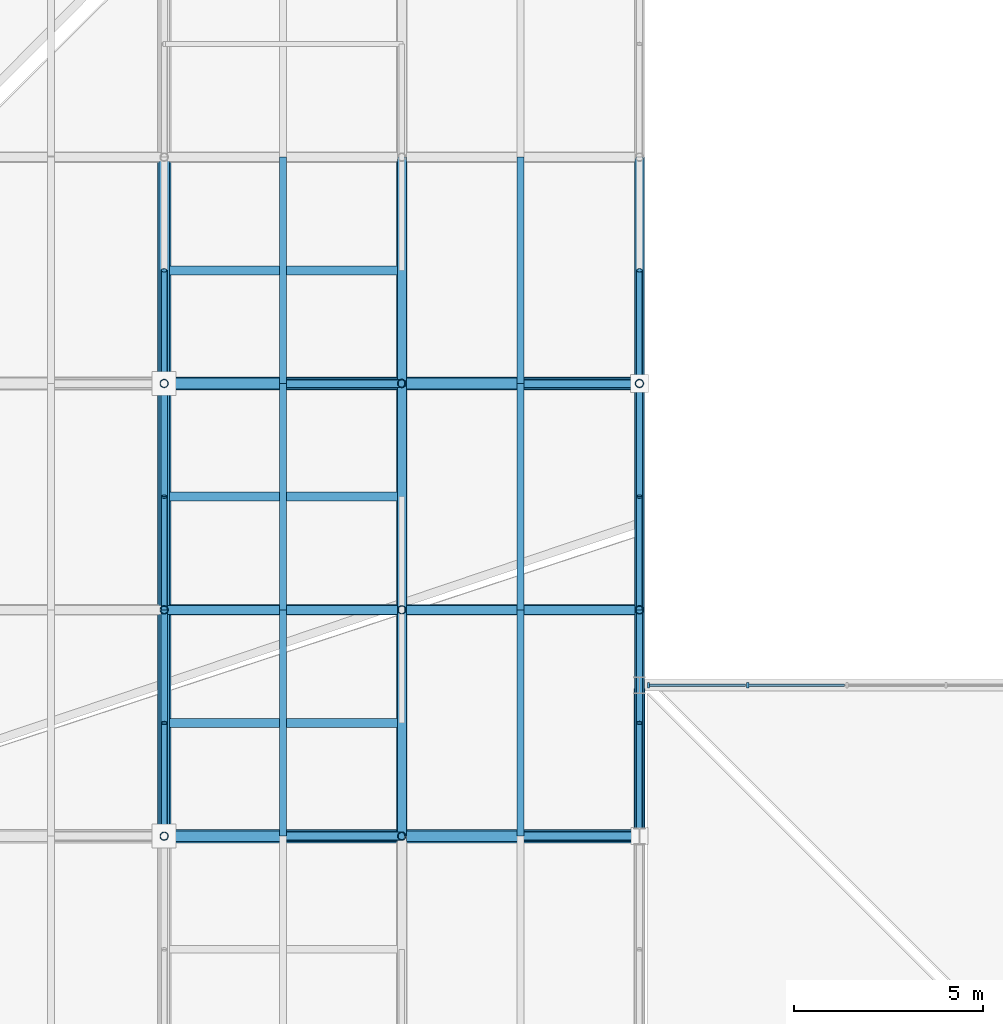
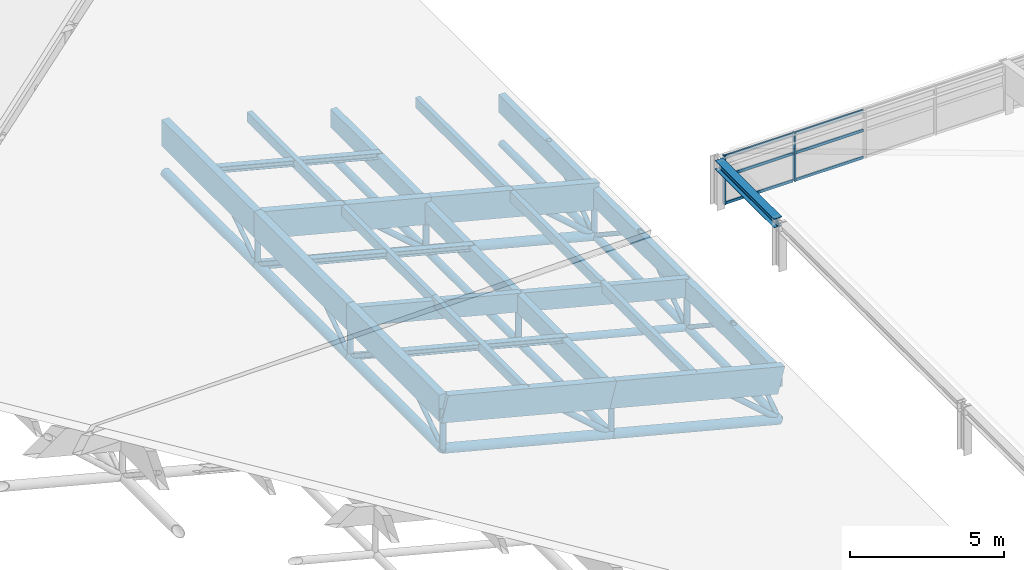
# One storey, part 46 of 80: 69 members, 1 beam, 1 element without a shape of its own.
"""IFC4 building model written with IfcOpenShell, lengths in metres."""

from ifc_helpers import new_model, si_unit, direction, frame, origin, origin_2d, place, context, subcontext, project, spatial, rectangle, hollow_circle, i_section, extrude, material, material_profile, profile_set, type_object, element, aggregate, save


model = new_model("IFC4")

# Units and contexts
model_context = context("Model", 3, precision=1e-05, world=origin(), true_north=direction((0.0, 1.0)))
body_context = subcontext(model_context, "Body", "Model", "MODEL_VIEW")
ifc_project = project(units=[si_unit("LENGTHUNIT", "METRE"), si_unit("AREAUNIT", "SQUARE_METRE"), si_unit("VOLUMEUNIT", "CUBIC_METRE"), si_unit("PLANEANGLEUNIT", "RADIAN"), si_unit("MASSUNIT", "GRAM", prefix="KILO"), si_unit("THERMODYNAMICTEMPERATUREUNIT", "KELVIN"), si_unit("POWERUNIT", "WATT")], contexts=[model_context])

# Site, building, storey
site_placement = place(None, origin())
site = spatial("IfcSite", under=ifc_project, at=site_placement, CompositionType="ELEMENT")
building_placement = place(site_placement, origin())
building = spatial("IfcBuilding", under=site, at=building_placement, Name="Solmara Park Aquatics Centre", CompositionType="ELEMENT")
storey_placement = place(building_placement, frame((0.0, 0.0, 22.800048828125)))
storey = spatial("IfcBuildingStorey", under=building, at=storey_placement, Name="RF", CompositionType="ELEMENT", Elevation=22.800048828125)

# Curtain wall, members
ifc_material_1 = material(Name="Anodised Aluminium Curtain Wall Framing", Category="aluminium")
curtain_wall_type = type_object("IfcCurtainWallType", Name="ARC-CW-SYS06", PredefinedType="USERDEFINED", material=ifc_material_1)
curtain_wall_placement = place(storey_placement, origin())
curtain_wall = element("IfcCurtainWall", 1, at=curtain_wall_placement, inside=storey, type_object=curtain_wall_type, Name="Curtain Wall CW-084", ObjectType="CURTAIN WALL", PredefinedType="USERDEFINED")
ifc_material_2 = material(Name="Anodised Aluminium Alloy 6063-T6", Category="aluminium")
ifc_material_profile_1 = material_profile(ifc_material_2, rectangle(XDim=0.054931640625, YDim=0.139892578125, at=origin_2d()), Name="ALU MULLION 55x140")
ifc_profile_set_1 = profile_set([ifc_material_profile_1], Name="Anodised Aluminium Alloy 6063-T6")
member_type_1 = type_object("IfcMemberType", Name="ARC-CWM-55x140", PredefinedType="MULLION", material=ifc_profile_set_1)
member_1_placement = place(storey_placement, frame((109.43994140625, 52.60009765625, -8.400146484375), z_axis=(0.0, 0.0, 1.0), x_axis=(1.0, 0.0, 0.0)))
member_1 = element("IfcMember", 2, at=member_1_placement, type_object=member_type_1, Name="CW-084 mullion 1", PredefinedType="MULLION", context=body_context, shape_type="SweptSolid", body=[
    extrude(rectangle(XDim=0.054931640625, YDim=0.139892578125, at=origin_2d()), origin(), (0.0, 0.0, 1.0), 1.920166015625),
])
member_2_placement = place(storey_placement, frame((112.070068359375, 52.60009765625, -8.400146484375), z_axis=(0.0, 0.0, 1.0), x_axis=(1.0, 0.0, 0.0)))
member_2 = element("IfcMember", 3, at=member_2_placement, type_object=member_type_1, Name="CW-084 mullion 2", PredefinedType="MULLION", context=body_context, shape_type="SweptSolid", body=[
    extrude(rectangle(XDim=0.054931640625, YDim=0.139892578125, at=origin_2d()), origin(), (0.0, 0.0, 1.0), 1.920166015625),
])
ifc_material_profile_2 = material_profile(ifc_material_2, rectangle(XDim=0.054931640625, YDim=0.110107421875, at=origin_2d()), Name="ALU TRANSOM 55x110")
ifc_profile_set_2 = profile_set([ifc_material_profile_2], Name="Anodised Aluminium Alloy 6063-T6")
member_type_2 = type_object("IfcMemberType", Name="ARC-CWT-55x110", PredefinedType="USERDEFINED", material=ifc_profile_set_2)
member_3_placement = place(storey_placement, frame((109.4599609375, 52.60009765625, -8.360107421875), z_axis=(1.0, 0.0, 0.0), x_axis=(0.0, 1.0, 0.0)))
member_3 = element("IfcMember", 4, at=member_3_placement, type_object=member_type_2, Name="CW-084 transom 1", ObjectType="TRANSOM", PredefinedType="USERDEFINED", context=body_context, shape_type="SweptSolid", body=[
    extrude(rectangle(XDim=0.054931640625, YDim=0.110107421875, at=origin_2d()), origin(), (0.0, 0.0, 1.0), 2.550048828125),
])
member_4_placement = place(storey_placement, frame((109.4599609375, 52.60009765625, -7.286376953125), z_axis=(1.0, 0.0, 0.0), x_axis=(0.0, 1.0, 0.0)))
member_4 = element("IfcMember", 5, at=member_4_placement, type_object=member_type_2, Name="CW-084 transom 2", ObjectType="TRANSOM", PredefinedType="USERDEFINED", context=body_context, shape_type="SweptSolid", body=[
    extrude(rectangle(XDim=0.054931640625, YDim=0.110107421875, at=origin_2d()), origin(), (0.0, 0.0, 1.0), 2.550048828125),
])
member_5_placement = place(storey_placement, frame((109.4599609375, 52.60009765625, -6.52001953125), z_axis=(1.0, 0.0, 0.0), x_axis=(0.0, 1.0, 0.0)))
member_5 = element("IfcMember", 6, at=member_5_placement, type_object=member_type_2, Name="CW-084 transom 3", ObjectType="TRANSOM", PredefinedType="USERDEFINED", context=body_context, shape_type="SweptSolid", body=[
    extrude(rectangle(XDim=0.054931640625, YDim=0.110107421875, at=origin_2d()), origin(), (0.0, 0.0, 1.0), 2.550048828125),
])
member_6_placement = place(storey_placement, frame((112.090087890625, 52.60009765625, -8.360107421875), z_axis=(1.0, 0.0, 0.0), x_axis=(0.0, 1.0, 0.0)))
member_6 = element("IfcMember", 7, at=member_6_placement, type_object=member_type_2, Name="CW-084 transom 4", ObjectType="TRANSOM", PredefinedType="USERDEFINED", context=body_context, shape_type="SweptSolid", body=[
    extrude(rectangle(XDim=0.054931640625, YDim=0.110107421875, at=origin_2d()), origin(), (0.0, 0.0, 1.0), 2.5498046875),
])
member_7_placement = place(storey_placement, frame((112.090087890625, 52.60009765625, -7.286376953125), z_axis=(1.0, 0.0, 0.0), x_axis=(0.0, 1.0, 0.0)))
member_7 = element("IfcMember", 8, at=member_7_placement, type_object=member_type_2, Name="CW-084 transom 5", ObjectType="TRANSOM", PredefinedType="USERDEFINED", context=body_context, shape_type="SweptSolid", body=[
    extrude(rectangle(XDim=0.054931640625, YDim=0.110107421875, at=origin_2d()), origin(), (0.0, 0.0, 1.0), 2.5498046875),
])
member_8_placement = place(storey_placement, frame((112.090087890625, 52.60009765625, -6.52001953125), z_axis=(1.0, 0.0, 0.0), x_axis=(0.0, 1.0, 0.0)))
member_8 = element("IfcMember", 9, at=member_8_placement, type_object=member_type_2, Name="CW-084 transom 6", ObjectType="TRANSOM", PredefinedType="USERDEFINED", context=body_context, shape_type="SweptSolid", body=[
    extrude(rectangle(XDim=0.054931640625, YDim=0.110107421875, at=origin_2d()), origin(), (0.0, 0.0, 1.0), 2.5498046875),
])
aggregate(curtain_wall, [member_1, member_2, member_3, member_4, member_5, member_6, member_7, member_8])

# Beam
ifc_material_3 = material(Name="Structural Steel S355", Category="steel")
ifc_material_profile_3 = material_profile(ifc_material_3, i_section(OverallWidth=0.300048828125, OverallDepth=0.35009765625, WebThickness=0.010009765625, FlangeThickness=0.017578125, FilletRadius=0.027099609375, at=origin_2d()), Name="HEA 360")
ifc_profile_set_3 = profile_set([ifc_material_profile_3], Name="Structural Steel S355")
beam_type = type_object("IfcBeamType", Name="STR-BM-HEA360", PredefinedType="BEAM", material=ifc_profile_set_3)
beam_placement = place(storey_placement, frame((109.199951171875, 48.679931640625, -6.66015625), z_axis=(0.0, 1.0, 0.0), x_axis=(-1.0, 0.0, 0.0)))
element("IfcBeam", 10, at=beam_placement, inside=storey, type_object=beam_type, Name="Diving Clerestory End Ring Beam 109-48", PredefinedType="BEAM", context=body_context, shape_type="SweptSolid", body=[
    extrude(i_section(OverallWidth=0.300048828125, OverallDepth=0.35009765625, WebThickness=0.010009765625, FlangeThickness=0.017578125, FilletRadius=0.027099609375, at=origin_2d()), origin(), (0.0, 0.0, 1.0), 3.840087890625),
])

# Members
ifc_material_profile_4 = material_profile(ifc_material_3, hollow_circle(Radius=0.084228515625, WallThickness=0.008056640625, at=origin_2d()), Name="CHS 168.3x8")
ifc_profile_set_4 = profile_set([ifc_material_profile_4], Name="Structural Steel S355")
member_type_3 = type_object("IfcMemberType", Name="STR-BRC-CHS168", PredefinedType="BRACE", material=ifc_profile_set_4)
for number, where, z_axis, x_axis, name in (
    (11, (96.60009765625, 48.60009765625, -11.141357421875), (0.0, 0.834611904619, 0.550838423377), (-1.0, 0.0, 0.0), "Roof Truss Web Diagonal Y 2056"),
    (12, (96.60009765625, 54.60009765625, -11.141357421875), (0.0, -0.834611904619, 0.550838423377), (1.0, 0.0, 0.0), "Roof Truss Web Diagonal Y 2057"),
    (13, (109.199951171875, 48.60009765625, -14.400146484375), (0.0, 0.834611904619, 0.550838423377), (-1.0, 0.0, 0.0), "Roof Truss Web Diagonal Y 2058"),
    (14, (109.199951171875, 54.60009765625, -14.400146484375), (0.0, -0.834611904619, 0.550838423377), (1.0, 0.0, 0.0), "Roof Truss Web Diagonal Y 2059"),
    (15, (96.60009765625, 54.60009765625, -11.141357421875), (0.0, 0.834611904619, 0.550838423377), (-1.0, 0.0, 0.0), "Roof Truss Web Diagonal Y 2081"),
    (16, (96.60009765625, 60.60009765625, -11.141357421875), (0.0, -0.834611904619, 0.550838423377), (1.0, 0.0, 0.0), "Roof Truss Web Diagonal Y 2082"),
    (17, (109.199951171875, 54.60009765625, -14.400146484375), (0.0, 0.834611904619, 0.550838423377), (-1.0, 0.0, 0.0), "Roof Truss Web Diagonal Y 2083"),
    (18, (109.199951171875, 60.60009765625, -14.400146484375), (0.0, -0.834611904619, 0.550838423377), (1.0, 0.0, 0.0), "Roof Truss Web Diagonal Y 2084"),
    (19, (96.60009765625, 60.60009765625, -11.141357421875), (0.0, 0.834611904619, 0.550838423377), (-1.0, 0.0, 0.0), "Roof Truss Web Diagonal Y 2104"),
    (20, (109.199951171875, 60.60009765625, -14.400146484375), (0.0, 0.834611904619, 0.550838423377), (-1.0, 0.0, 0.0), "Roof Truss Web Diagonal Y 2106"),
):
    element("IfcMember", number, at=place(storey_placement, frame(where, z_axis=z_axis, x_axis=x_axis)), inside=storey, type_object=member_type_3, Name=name, PredefinedType="BRACE", context=body_context, shape_type="SweptSolid", body=[
        extrude(hollow_circle(Radius=0.084228515625, WallThickness=0.008056640625, at=origin_2d()), origin(), (0.0, 0.0, 1.0), 3.594482421875),
    ])
ifc_material_profile_5 = material_profile(ifc_material_3, hollow_circle(Radius=0.109619140625, WallThickness=0.010009765625, at=origin_2d()), Name="CHS 219.1x10")
ifc_profile_set_5 = profile_set([ifc_material_profile_5], Name="Structural Steel S355")
member_type_4 = type_object("IfcMemberType", Name="STR-BRC-CHS219", PredefinedType="BRACE", material=ifc_profile_set_5)
for number, where, z_axis, x_axis, name in (
    (21, (102.89990234375, 48.60009765625, -12.770751953125), (-0.752757378615, 0.0, 0.658298054791), (0.0, -1.0, 0.0), "Roof Truss Web Diagonal X 1810"),
    (22, (102.89990234375, 60.60009765625, -12.770751953125), (-0.752757378615, 0.0, 0.658298054791), (0.0, -1.0, 0.0), "Roof Truss Web Diagonal X 1811"),
    (23, (109.199951171875, 48.60009765625, -14.400146484375), (-0.752757378615, 0.0, 0.658298054791), (0.0, -1.0, 0.0), "Roof Truss Web Diagonal X 1834"),
    (24, (109.199951171875, 60.60009765625, -14.400146484375), (-0.752757378615, 0.0, 0.658298054791), (0.0, -1.0, 0.0), "Roof Truss Web Diagonal X 1835"),
):
    element("IfcMember", number, at=place(storey_placement, frame(where, z_axis=z_axis, x_axis=x_axis)), inside=storey, type_object=member_type_4, Name=name, PredefinedType="BRACE", context=body_context, shape_type="SweptSolid", body=[
        extrude(hollow_circle(Radius=0.109619140625, WallThickness=0.010009765625, at=origin_2d()), origin(), (0.0, 0.0, 1.0), 4.1845703125),
    ])
ifc_material_profile_6 = material_profile(ifc_material_3, hollow_circle(Radius=0.136474609375, WallThickness=0.012451171875, at=origin_2d()), Name="CHS 273x12.5")
ifc_profile_set_6 = profile_set([ifc_material_profile_6], Name="Structural Steel S355")
member_type_5 = type_object("IfcMemberType", Name="STR-CHD-CHS273", PredefinedType="CHORD", material=ifc_profile_set_6)
member_9_placement = place(storey_placement, frame((96.60009765625, 54.60009765625, -11.141357421875), z_axis=(0.968141893543, 0.0, -0.250402224365), x_axis=(0.0, 1.0, 0.0)))
element("IfcMember", 25, at=member_9_placement, inside=storey, type_object=member_type_5, Name="Steel Roof Truss Bottom Chord X 0358", PredefinedType="CHORD", context=body_context, shape_type="SweptSolid", body=[
    extrude(hollow_circle(Radius=0.136474609375, WallThickness=0.012451171875, at=origin_2d()), origin(), (0.0, 0.0, 1.0), 6.507080078125),
])
member_10_placement = place(storey_placement, frame((102.89990234375, 54.60009765625, -12.770751953125), z_axis=(0.968144245908, 0.0, -0.25039312913), x_axis=(0.0, 1.0, 0.0)))
element("IfcMember", 26, at=member_10_placement, inside=storey, type_object=member_type_5, Name="Steel Roof Truss Bottom Chord X 0360", PredefinedType="CHORD", context=body_context, shape_type="SweptSolid", body=[
    extrude(hollow_circle(Radius=0.136474609375, WallThickness=0.012451171875, at=origin_2d()), origin(), (0.0, 0.0, 1.0), 6.50732421875),
])
for number, where, z_axis, x_axis, name in (
    (27, (102.89990234375, 48.60009765625, -12.770751953125), (0.0, 1.0, 0.0), (-1.0, 0.0, 0.0), "Steel Roof Truss Bottom Chord Y 1034"),
    (28, (102.89990234375, 54.60009765625, -12.770751953125), (0.0, 1.0, 0.0), (-1.0, 0.0, 0.0), "Steel Roof Truss Bottom Chord Y 1036"),
    (29, (102.89990234375, 60.60009765625, -12.770751953125), (0.0, 1.0, 0.0), (-1.0, 0.0, 0.0), "Steel Roof Truss Bottom Chord Y 1038"),
    (30, (109.199951171875, 48.60009765625, -14.400146484375), (0.0, 1.0, 0.0), (-1.0, 0.0, 0.0), "Steel Roof Truss Bottom Chord Y 1062"),
    (31, (109.199951171875, 54.60009765625, -14.400146484375), (0.0, 1.0, 0.0), (-1.0, 0.0, 0.0), "Steel Roof Truss Bottom Chord Y 1064"),
    (32, (109.199951171875, 60.60009765625, -14.400146484375), (0.0, 1.0, 0.0), (-1.0, 0.0, 0.0), "Steel Roof Truss Bottom Chord Y 1066"),
):
    element("IfcMember", number, at=place(storey_placement, frame(where, z_axis=z_axis, x_axis=x_axis)), inside=storey, type_object=member_type_5, Name=name, PredefinedType="CHORD", context=body_context, shape_type="SweptSolid", body=[
        extrude(hollow_circle(Radius=0.136474609375, WallThickness=0.012451171875, at=origin_2d()), origin(), (0.0, 0.0, 1.0), 6.0),
    ])
ifc_material_profile_7 = material_profile(ifc_material_3, hollow_circle(Radius=0.177734375, WallThickness=0.01611328125, at=origin_2d()), Name="CHS 355.6x16")
ifc_profile_set_7 = profile_set([ifc_material_profile_7], Name="Structural Steel S355")
member_type_6 = type_object("IfcMemberType", Name="STR-CHD-CHS355", PredefinedType="CHORD", material=ifc_profile_set_7)
member_11_placement = place(storey_placement, frame((96.60009765625, 48.60009765625, -11.141357421875), z_axis=(0.968141893543, 0.0, -0.250402224365), x_axis=(0.0, 1.0, 0.0)))
element("IfcMember", 33, at=member_11_placement, inside=storey, type_object=member_type_6, Name="Steel Roof Truss Bottom Chord X 0322", PredefinedType="CHORD", context=body_context, shape_type="SweptSolid", body=[
    extrude(hollow_circle(Radius=0.177734375, WallThickness=0.01611328125, at=origin_2d()), origin(), (0.0, 0.0, 1.0), 6.507080078125),
])
member_12_placement = place(storey_placement, frame((102.89990234375, 48.60009765625, -12.770751953125), z_axis=(0.968144245908, 0.0, -0.25039312913), x_axis=(0.0, 1.0, 0.0)))
element("IfcMember", 34, at=member_12_placement, inside=storey, type_object=member_type_6, Name="Steel Roof Truss Bottom Chord X 0324", PredefinedType="CHORD", context=body_context, shape_type="SweptSolid", body=[
    extrude(hollow_circle(Radius=0.177734375, WallThickness=0.01611328125, at=origin_2d()), origin(), (0.0, 0.0, 1.0), 6.50732421875),
])
member_13_placement = place(storey_placement, frame((96.60009765625, 60.60009765625, -11.141357421875), z_axis=(0.968141893543, 0.0, -0.250402224365), x_axis=(0.0, 1.0, 0.0)))
element("IfcMember", 35, at=member_13_placement, inside=storey, type_object=member_type_6, Name="Steel Roof Truss Bottom Chord X 0394", PredefinedType="CHORD", context=body_context, shape_type="SweptSolid", body=[
    extrude(hollow_circle(Radius=0.177734375, WallThickness=0.01611328125, at=origin_2d()), origin(), (0.0, 0.0, 1.0), 6.507080078125),
])
member_14_placement = place(storey_placement, frame((102.89990234375, 60.60009765625, -12.770751953125), z_axis=(0.968144245908, 0.0, -0.25039312913), x_axis=(0.0, 1.0, 0.0)))
element("IfcMember", 36, at=member_14_placement, inside=storey, type_object=member_type_6, Name="Steel Roof Truss Bottom Chord X 0396", PredefinedType="CHORD", context=body_context, shape_type="SweptSolid", body=[
    extrude(hollow_circle(Radius=0.177734375, WallThickness=0.01611328125, at=origin_2d()), origin(), (0.0, 0.0, 1.0), 6.50732421875),
])
for number, where, z_axis, x_axis, name in (
    (37, (96.60009765625, 48.60009765625, -11.141357421875), (0.0, 1.0, 0.0), (-1.0, 0.0, 0.0), "Steel Roof Truss Bottom Chord Y 1006"),
    (38, (96.60009765625, 54.60009765625, -11.141357421875), (0.0, 1.0, 0.0), (-1.0, 0.0, 0.0), "Steel Roof Truss Bottom Chord Y 1008"),
    (39, (96.60009765625, 60.60009765625, -11.141357421875), (0.0, 1.0, 0.0), (-1.0, 0.0, 0.0), "Steel Roof Truss Bottom Chord Y 1010"),
):
    element("IfcMember", number, at=place(storey_placement, frame(where, z_axis=z_axis, x_axis=x_axis)), inside=storey, type_object=member_type_6, Name=name, PredefinedType="CHORD", context=body_context, shape_type="SweptSolid", body=[
        extrude(hollow_circle(Radius=0.177734375, WallThickness=0.01611328125, at=origin_2d()), origin(), (0.0, 0.0, 1.0), 6.0),
    ])
ifc_material_4 = material(Name="Glulam Timber GL28h", Category="wood")
ifc_material_profile_8 = material_profile(ifc_material_4, rectangle(XDim=0.239990234375, YDim=0.719970703125, at=origin_2d()), Name="GL28h 240x720")
ifc_profile_set_8 = profile_set([ifc_material_profile_8], Name="Glulam Timber GL28h")
member_type_7 = type_object("IfcMemberType", Name="STR-CHD-GL240x720", PredefinedType="CHORD", material=ifc_profile_set_8)
member_15_placement = place(storey_placement, frame((96.60009765625, 54.60009765625, -9.521484375), z_axis=(0.968150988544, 0.0, -0.250367057299), x_axis=(0.0, 1.0, 0.0)))
element("IfcMember", 40, at=member_15_placement, inside=storey, type_object=member_type_7, Name="Glulam Roof Truss Top Chord X 0357", PredefinedType="CHORD", context=body_context, shape_type="SweptSolid", body=[
    extrude(rectangle(XDim=0.239990234375, YDim=0.719970703125, at=origin_2d()), origin(), (0.0, 0.0, 1.0), 6.507080078125),
])
member_16_placement = place(storey_placement, frame((102.89990234375, 54.60009765625, -11.150634765625), z_axis=(0.968144245908, 0.0, -0.25039312913), x_axis=(0.0, 1.0, 0.0)))
element("IfcMember", 41, at=member_16_placement, inside=storey, type_object=member_type_7, Name="Glulam Roof Truss Top Chord X 0359", PredefinedType="CHORD", context=body_context, shape_type="SweptSolid", body=[
    extrude(rectangle(XDim=0.239990234375, YDim=0.719970703125, at=origin_2d()), origin(), (0.0, 0.0, 1.0), 6.50732421875),
])
for number, where, z_axis, x_axis, name in (
    (42, (102.89990234375, 48.60009765625, -11.150634765625), (0.0, 1.0, 0.0), (-1.0, 0.0, 0.0), "Glulam Roof Truss Top Chord Y 1033"),
    (43, (102.89990234375, 54.60009765625, -11.150634765625), (0.0, 1.0, 0.0), (-1.0, 0.0, 0.0), "Glulam Roof Truss Top Chord Y 1035"),
    (44, (102.89990234375, 60.60009765625, -11.150634765625), (0.0, 1.0, 0.0), (-1.0, 0.0, 0.0), "Glulam Roof Truss Top Chord Y 1037"),
    (45, (109.199951171875, 48.60009765625, -12.780029296875), (0.0, 1.0, 0.0), (-1.0, 0.0, 0.0), "Glulam Roof Truss Top Chord Y 1061"),
    (46, (109.199951171875, 54.60009765625, -12.780029296875), (0.0, 1.0, 0.0), (-1.0, 0.0, 0.0), "Glulam Roof Truss Top Chord Y 1063"),
    (47, (109.199951171875, 60.60009765625, -12.780029296875), (0.0, 1.0, 0.0), (-1.0, 0.0, 0.0), "Glulam Roof Truss Top Chord Y 1065"),
):
    element("IfcMember", number, at=place(storey_placement, frame(where, z_axis=z_axis, x_axis=x_axis)), inside=storey, type_object=member_type_7, Name=name, PredefinedType="CHORD", context=body_context, shape_type="SweptSolid", body=[
        extrude(rectangle(XDim=0.239990234375, YDim=0.719970703125, at=origin_2d()), origin(), (0.0, 0.0, 1.0), 6.0),
    ])
ifc_material_profile_9 = material_profile(ifc_material_4, rectangle(XDim=0.280029296875, YDim=1.0400390625, at=origin_2d()), Name="GL28h 280x1040")
ifc_profile_set_9 = profile_set([ifc_material_profile_9], Name="Glulam Timber GL28h")
member_type_8 = type_object("IfcMemberType", Name="STR-CHD-GL280x1040", PredefinedType="CHORD", material=ifc_profile_set_9)
member_17_placement = place(storey_placement, frame((96.60009765625, 48.60009765625, -9.521484375), z_axis=(0.968150988544, 0.0, -0.250367057299), x_axis=(0.0, 1.0, 0.0)))
element("IfcMember", 48, at=member_17_placement, inside=storey, type_object=member_type_8, Name="Glulam Roof Truss Top Chord X 0321", PredefinedType="CHORD", context=body_context, shape_type="SweptSolid", body=[
    extrude(rectangle(XDim=0.280029296875, YDim=1.0400390625, at=origin_2d()), origin(), (0.0, 0.0, 1.0), 6.507080078125),
])
member_18_placement = place(storey_placement, frame((102.89990234375, 48.60009765625, -11.150634765625), z_axis=(0.968144245908, 0.0, -0.25039312913), x_axis=(0.0, 1.0, 0.0)))
element("IfcMember", 49, at=member_18_placement, inside=storey, type_object=member_type_8, Name="Glulam Roof Truss Top Chord X 0323", PredefinedType="CHORD", context=body_context, shape_type="SweptSolid", body=[
    extrude(rectangle(XDim=0.280029296875, YDim=1.0400390625, at=origin_2d()), origin(), (0.0, 0.0, 1.0), 6.50732421875),
])
member_19_placement = place(storey_placement, frame((96.60009765625, 60.60009765625, -9.521484375), z_axis=(0.968150988544, 0.0, -0.250367057299), x_axis=(0.0, 1.0, 0.0)))
element("IfcMember", 50, at=member_19_placement, inside=storey, type_object=member_type_8, Name="Glulam Roof Truss Top Chord X 0393", PredefinedType="CHORD", context=body_context, shape_type="SweptSolid", body=[
    extrude(rectangle(XDim=0.280029296875, YDim=1.0400390625, at=origin_2d()), origin(), (0.0, 0.0, 1.0), 6.507080078125),
])
member_20_placement = place(storey_placement, frame((102.89990234375, 60.60009765625, -11.150634765625), z_axis=(0.968144245908, 0.0, -0.25039312913), x_axis=(0.0, 1.0, 0.0)))
element("IfcMember", 51, at=member_20_placement, inside=storey, type_object=member_type_8, Name="Glulam Roof Truss Top Chord X 0395", PredefinedType="CHORD", context=body_context, shape_type="SweptSolid", body=[
    extrude(rectangle(XDim=0.280029296875, YDim=1.0400390625, at=origin_2d()), origin(), (0.0, 0.0, 1.0), 6.50732421875),
])
for number, where, z_axis, x_axis, name in (
    (52, (96.60009765625, 48.60009765625, -9.521484375), (0.0, 1.0, 0.0), (-1.0, 0.0, 0.0), "Glulam Roof Truss Top Chord Y 1005"),
    (53, (96.60009765625, 54.60009765625, -9.521484375), (0.0, 1.0, 0.0), (-1.0, 0.0, 0.0), "Glulam Roof Truss Top Chord Y 1007"),
    (54, (96.60009765625, 60.60009765625, -9.521484375), (0.0, 1.0, 0.0), (-1.0, 0.0, 0.0), "Glulam Roof Truss Top Chord Y 1009"),
):
    element("IfcMember", number, at=place(storey_placement, frame(where, z_axis=z_axis, x_axis=x_axis)), inside=storey, type_object=member_type_8, Name=name, PredefinedType="CHORD", context=body_context, shape_type="SweptSolid", body=[
        extrude(rectangle(XDim=0.280029296875, YDim=1.0400390625, at=origin_2d()), origin(), (0.0, 0.0, 1.0), 6.0),
    ])
ifc_material_profile_10 = material_profile(ifc_material_4, rectangle(XDim=0.179931640625, YDim=0.39990234375, at=origin_2d()), Name="GL28h 180x400")
ifc_profile_set_10 = profile_set([ifc_material_profile_10], Name="Glulam Timber GL28h")
member_type_9 = type_object("IfcMemberType", Name="STR-PRL-GL180x400", PredefinedType="PURLIN", material=ifc_profile_set_10)
for number, where, z_axis, x_axis, name in (
    (55, (99.75, 48.60009765625, -10.01611328125), (0.0, 1.0, 0.0), (-1.0, 0.0, 0.0), "Glulam Roof Purlin 1799"),
    (56, (99.75, 54.60009765625, -10.01611328125), (0.0, 1.0, 0.0), (-1.0, 0.0, 0.0), "Glulam Roof Purlin 1800"),
    (57, (99.75, 60.60009765625, -10.01611328125), (0.0, 1.0, 0.0), (-1.0, 0.0, 0.0), "Glulam Roof Purlin 1801"),
    (58, (106.050048828125, 48.60009765625, -11.6455078125), (0.0, 1.0, 0.0), (-1.0, 0.0, 0.0), "Glulam Roof Purlin 1823"),
    (59, (106.050048828125, 54.60009765625, -11.6455078125), (0.0, 1.0, 0.0), (-1.0, 0.0, 0.0), "Glulam Roof Purlin 1824"),
    (60, (106.050048828125, 60.60009765625, -11.6455078125), (0.0, 1.0, 0.0), (-1.0, 0.0, 0.0), "Glulam Roof Purlin 1825"),
):
    element("IfcMember", number, at=place(storey_placement, frame(where, z_axis=z_axis, x_axis=x_axis)), inside=storey, type_object=member_type_9, Name=name, PredefinedType="PURLIN", context=body_context, shape_type="SweptSolid", body=[
        extrude(rectangle(XDim=0.179931640625, YDim=0.39990234375, at=origin_2d()), origin(), (0.0, 0.0, 1.0), 6.0),
    ])
ifc_material_profile_11 = material_profile(ifc_material_3, i_section(OverallWidth=0.239990234375, OverallDepth=0.22998046875, WebThickness=0.007568359375, FlangeThickness=0.011962890625, FilletRadius=0.02099609375, at=origin_2d()), Name="HEA 240")
ifc_profile_set_11 = profile_set([ifc_material_profile_11], Name="Structural Steel S355")
member_type_10 = type_object("IfcMemberType", Name="STR-PRL-HEA240", PredefinedType="PURLIN", material=ifc_profile_set_11)
for number, where, z_axis, x_axis, name in (
    (61, (96.60009765625, 51.60009765625, -9.181396484375), (0.968141893543, 0.0, -0.250402224365), (0.0, 1.0, 0.0), "Glulam Secondary Roof Purlin 2043"),
    (62, (96.60009765625, 57.60009765625, -9.181396484375), (0.968141893543, 0.0, -0.250402224365), (0.0, 1.0, 0.0), "Glulam Secondary Roof Purlin 2068"),
    (63, (96.60009765625, 63.60009765625, -9.181396484375), (0.968141893543, 0.0, -0.250402224365), (0.0, 1.0, 0.0), "Glulam Secondary Roof Purlin 2093"),
):
    element("IfcMember", number, at=place(storey_placement, frame(where, z_axis=z_axis, x_axis=x_axis)), inside=storey, type_object=member_type_10, Name=name, PredefinedType="PURLIN", context=body_context, shape_type="SweptSolid", body=[
        extrude(i_section(OverallWidth=0.239990234375, OverallDepth=0.22998046875, WebThickness=0.007568359375, FlangeThickness=0.011962890625, FilletRadius=0.02099609375, at=origin_2d()), origin(), (0.0, 0.0, 1.0), 6.507080078125),
    ])
ifc_material_profile_12 = material_profile(ifc_material_3, hollow_circle(Radius=0.109619140625, WallThickness=0.010009765625, at=origin_2d()), Name="CHS 219.1x10")
ifc_profile_set_12 = profile_set([ifc_material_profile_12], Name="Structural Steel S355")
member_type_11 = type_object("IfcMemberType", Name="STR-PST-CHS219", PredefinedType="POST", material=ifc_profile_set_12)
for number, where, z_axis, x_axis, name in (
    (64, (96.60009765625, 48.60009765625, -11.141357421875), (0.0, 0.0, 1.0), (1.0, 0.0, 0.0), "Roof Truss Web Post 1314"),
    (65, (96.60009765625, 54.60009765625, -11.141357421875), (0.0, 0.0, 1.0), (1.0, 0.0, 0.0), "Roof Truss Web Post 1315"),
    (66, (96.60009765625, 60.60009765625, -11.141357421875), (0.0, 0.0, 1.0), (1.0, 0.0, 0.0), "Roof Truss Web Post 1316"),
):
    element("IfcMember", number, at=place(storey_placement, frame(where, z_axis=z_axis, x_axis=x_axis)), inside=storey, type_object=member_type_11, Name=name, PredefinedType="POST", context=body_context, shape_type="SweptSolid", body=[
        extrude(hollow_circle(Radius=0.109619140625, WallThickness=0.010009765625, at=origin_2d()), origin(), (0.0, 0.0, 1.0), 1.619873046875),
    ])
for number, where, z_axis, x_axis, name in (
    (67, (102.89990234375, 48.60009765625, -12.770751953125), (0.0, 0.0, 1.0), (1.0, 0.0, 0.0), "Roof Truss Web Post 1329"),
    (68, (102.89990234375, 54.60009765625, -12.770751953125), (0.0, 0.0, 1.0), (1.0, 0.0, 0.0), "Roof Truss Web Post 1330"),
    (69, (102.89990234375, 60.60009765625, -12.770751953125), (0.0, 0.0, 1.0), (1.0, 0.0, 0.0), "Roof Truss Web Post 1331"),
    (70, (109.199951171875, 54.60009765625, -14.400146484375), (0.0, 0.0, 1.0), (1.0, 0.0, 0.0), "Roof Truss Web Post 1341"),
    (71, (109.199951171875, 60.60009765625, -14.400146484375), (0.0, 0.0, 1.0), (1.0, 0.0, 0.0), "Roof Truss Web Post 1342"),
):
    element("IfcMember", number, at=place(storey_placement, frame(where, z_axis=z_axis, x_axis=x_axis)), inside=storey, type_object=member_type_11, Name=name, PredefinedType="POST", context=body_context, shape_type="SweptSolid", body=[
        extrude(hollow_circle(Radius=0.109619140625, WallThickness=0.010009765625, at=origin_2d()), origin(), (0.0, 0.0, 1.0), 1.6201171875),
    ])

save(model, "model.ifc")
